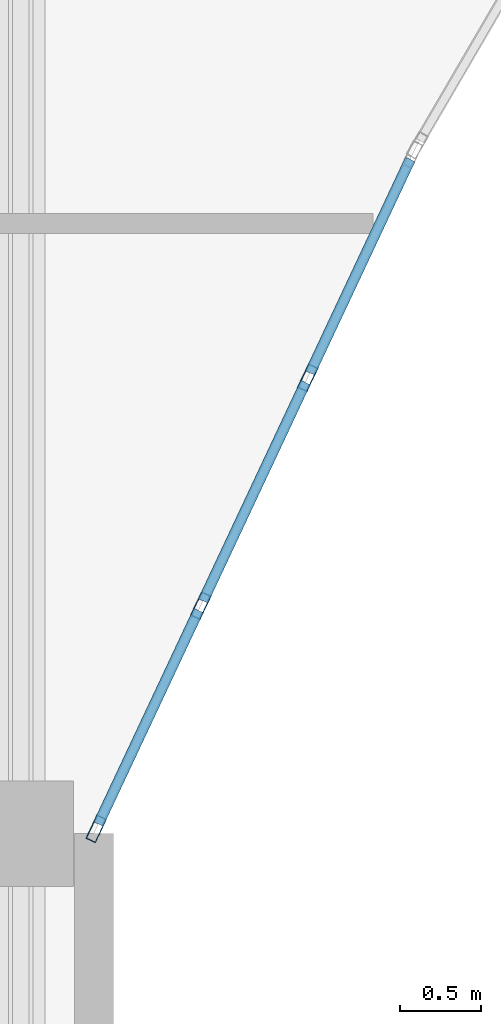
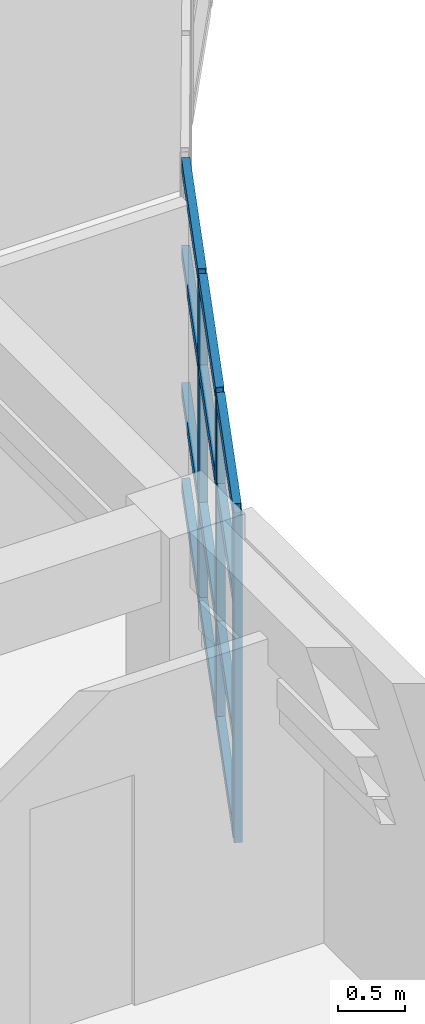
# One storey, part 40 of 128: 15 members, 1 element without a shape of its own.
"""IFC4 building model written with IfcOpenShell, lengths in metres."""

from ifc_helpers import new_model, si_unit, direction, frame, origin, origin_2d, place, context, subcontext, project, spatial, hollow_rectangle, extrude, material, layer, layer_set, material_profile, profile_set, type_object, element, aggregate, save


model = new_model("IFC4")

# Units and contexts
model_context = context("Model", 3, precision=1e-05, world=origin(), true_north=direction((0.0, 1.0)))
body_context = subcontext(model_context, "Body", "Model", "MODEL_VIEW")
ifc_project = project(units=[si_unit("LENGTHUNIT", "METRE"), si_unit("AREAUNIT", "SQUARE_METRE"), si_unit("VOLUMEUNIT", "CUBIC_METRE"), si_unit("PLANEANGLEUNIT", "RADIAN"), si_unit("MASSUNIT", "GRAM", prefix="KILO")], contexts=[model_context])

# Site, building, storey
site_placement = place(None, origin())
site = spatial("IfcSite", under=ifc_project, at=site_placement, CompositionType="ELEMENT")
building_placement = place(site_placement, origin())
building = spatial("IfcBuilding", under=site, at=building_placement, Name="Keldmere Railside Commons", CompositionType="ELEMENT")
storey_placement = place(building_placement, frame((0.0, 0.0, 4.159912109375)))
storey = spatial("IfcBuildingStorey", under=building, at=storey_placement, Name="L01", CompositionType="ELEMENT", Elevation=4.159912109375)

# Curtain wall, members
ifc_material = material(Name="Thermally Broken Aluminium", Category="aluminium")
ifc_layer = layer(ifc_material, 0.159912109375, Name="Court Chord Wintergarden CW 4800x2850")
ifc_layer_set = layer_set([ifc_layer], Name="Thermally Broken Aluminium")
curtain_wall_type = type_object("IfcCurtainWallType", Name="Court Chord Wintergarden CW 4800x2850", PredefinedType="NOTDEFINED", material=ifc_layer_set)
curtain_wall_placement = place(storey_placement, origin())
curtain_wall = element("IfcCurtainWall", 1, at=curtain_wall_placement, inside=storey, type_object=curtain_wall_type, Name="CW-12 CW-L01-004", PredefinedType="NOTDEFINED")
ifc_material_profile_1 = material_profile(ifc_material, hollow_rectangle(XDim=0.06494140625, YDim=0.159912109375, WallThickness=0.00390625, at=origin_2d()), Name="ALU-MULL-65x160")
ifc_profile_set_1 = profile_set([ifc_material_profile_1], Name="Thermally Broken Aluminium")
member_type_1 = type_object("IfcMemberType", Name="Unitised Curtain Wall Mullion 65x160", PredefinedType="MULLION", material=ifc_profile_set_1)
member_1_placement = place(storey_placement, frame((25.314697265625, 90.802001953125, 0.0), z_axis=(0.0, 0.0, 1.0), x_axis=(0.905306255478, -0.424759442264, 0.0)))
member_1 = element("IfcMember", 2, at=member_1_placement, type_object=member_type_1, Name="CW-12 mullion 2", PredefinedType="MULLION", context=body_context, shape_type="SweptSolid", body=[
    extrude(hollow_rectangle(XDim=0.06494140625, YDim=0.159912109375, WallThickness=0.00390625, at=origin_2d()), origin(), (0.0, 0.0, 1.0), 2.97998046875),
])
member_2_placement = place(storey_placement, frame((24.6572265625, 89.40087890625, 0.0), z_axis=(0.0, 0.0, 1.0), x_axis=(0.905306255478, -0.424759442264, 0.0)))
member_2 = element("IfcMember", 3, at=member_2_placement, type_object=member_type_1, Name="CW-12 mullion 3", PredefinedType="MULLION", context=body_context, shape_type="SweptSolid", body=[
    extrude(hollow_rectangle(XDim=0.06494140625, YDim=0.159912109375, WallThickness=0.00390625, at=origin_2d()), origin(), (0.0, 0.0, 1.0), 2.97998046875),
])
member_3_placement = place(storey_placement, frame((24.013916015625, 88.029541015625, 0.0), z_axis=(0.0, 0.0, 1.0), x_axis=(0.905306255478, -0.424759442264, 0.0)))
member_3 = element("IfcMember", 4, at=member_3_placement, type_object=member_type_1, Name="CW-12 mullion 4", PredefinedType="MULLION", context=body_context, shape_type="SweptSolid", body=[
    extrude(hollow_rectangle(XDim=0.06494140625, YDim=0.159912109375, WallThickness=0.00390625, at=origin_2d()), origin(), (0.0, 0.0, 1.0), 2.97998046875),
])
ifc_material_profile_2 = material_profile(ifc_material, hollow_rectangle(XDim=0.06494140625, YDim=0.1201171875, WallThickness=0.00390625, at=origin_2d()), Name="ALU-TRAN-65x120")
ifc_profile_set_2 = profile_set([ifc_material_profile_2], Name="Thermally Broken Aluminium")
member_type_2 = type_object("IfcMemberType", Name="Unitised Curtain Wall Transom 65x120", PredefinedType="USERDEFINED", material=ifc_profile_set_2)
member_4_placement = place(storey_placement, frame((25.9443359375, 92.14404296875, 0.032470703125), z_axis=(-0.424847998455, -0.905264700631, 0.0), x_axis=(0.905264700631, -0.424847998455, 0.0)))
member_4 = element("IfcMember", 5, at=member_4_placement, type_object=member_type_2, Name="CW-12 transom 1.1", ObjectType="TRANSOM", PredefinedType="USERDEFINED", context=body_context, shape_type="SweptSolid", body=[
    extrude(hollow_rectangle(XDim=0.06494140625, YDim=0.1201171875, WallThickness=0.00390625, at=origin_2d()), origin(), (0.0, 0.0, 1.0), 1.449951171875),
])
member_5_placement = place(storey_placement, frame((25.9443359375, 92.14404296875, 0.900146484375), z_axis=(-0.424847998455, -0.905264700631, 0.0), x_axis=(0.905264700631, -0.424847998455, 0.0)))
member_5 = element("IfcMember", 6, at=member_5_placement, type_object=member_type_2, Name="CW-12 transom 1.2", ObjectType="TRANSOM", PredefinedType="USERDEFINED", context=body_context, shape_type="SweptSolid", body=[
    extrude(hollow_rectangle(XDim=0.06494140625, YDim=0.1201171875, WallThickness=0.00390625, at=origin_2d()), origin(), (0.0, 0.0, 1.0), 1.449951171875),
])
member_6_placement = place(storey_placement, frame((25.9443359375, 92.14404296875, 2.150146484375), z_axis=(-0.424847998455, -0.905264700631, 0.0), x_axis=(0.905264700631, -0.424847998455, 0.0)))
member_6 = element("IfcMember", 7, at=member_6_placement, type_object=member_type_2, Name="CW-12 transom 1.3", ObjectType="TRANSOM", PredefinedType="USERDEFINED", context=body_context, shape_type="SweptSolid", body=[
    extrude(hollow_rectangle(XDim=0.06494140625, YDim=0.1201171875, WallThickness=0.00390625, at=origin_2d()), origin(), (0.0, 0.0, 1.0), 1.449951171875),
])
member_7_placement = place(storey_placement, frame((25.9443359375, 92.14404296875, 2.947509765625), z_axis=(-0.424847998455, -0.905264700631, 0.0), x_axis=(0.905264700631, -0.424847998455, 0.0)))
member_7 = element("IfcMember", 8, at=member_7_placement, type_object=member_type_2, Name="CW-12 transom 1.4", ObjectType="TRANSOM", PredefinedType="USERDEFINED", context=body_context, shape_type="SweptSolid", body=[
    extrude(hollow_rectangle(XDim=0.06494140625, YDim=0.1201171875, WallThickness=0.00390625, at=origin_2d()), origin(), (0.0, 0.0, 1.0), 1.449951171875),
])
member_8_placement = place(storey_placement, frame((25.30078125, 90.7724609375, 0.032470703125), z_axis=(-0.424741875375, -0.905314497455, 0.0), x_axis=(0.905314497455, -0.424741875375, 0.0)))
member_8 = element("IfcMember", 9, at=member_8_placement, type_object=member_type_2, Name="CW-12 transom 2.1", ObjectType="TRANSOM", PredefinedType="USERDEFINED", context=body_context, shape_type="SweptSolid", body=[
    extrude(hollow_rectangle(XDim=0.06494140625, YDim=0.1201171875, WallThickness=0.00390625, at=origin_2d()), origin(), (0.0, 0.0, 1.0), 1.482421875),
])
member_9_placement = place(storey_placement, frame((25.30078125, 90.7724609375, 0.900146484375), z_axis=(-0.424741875375, -0.905314497455, 0.0), x_axis=(0.905314497455, -0.424741875375, 0.0)))
member_9 = element("IfcMember", 10, at=member_9_placement, type_object=member_type_2, Name="CW-12 transom 2.2", ObjectType="TRANSOM", PredefinedType="USERDEFINED", context=body_context, shape_type="SweptSolid", body=[
    extrude(hollow_rectangle(XDim=0.06494140625, YDim=0.1201171875, WallThickness=0.00390625, at=origin_2d()), origin(), (0.0, 0.0, 1.0), 1.482421875),
])
member_10_placement = place(storey_placement, frame((25.30078125, 90.7724609375, 2.150146484375), z_axis=(-0.424741875375, -0.905314497455, 0.0), x_axis=(0.905314497455, -0.424741875375, 0.0)))
member_10 = element("IfcMember", 11, at=member_10_placement, type_object=member_type_2, Name="CW-12 transom 2.3", ObjectType="TRANSOM", PredefinedType="USERDEFINED", context=body_context, shape_type="SweptSolid", body=[
    extrude(hollow_rectangle(XDim=0.06494140625, YDim=0.1201171875, WallThickness=0.00390625, at=origin_2d()), origin(), (0.0, 0.0, 1.0), 1.482421875),
])
member_11_placement = place(storey_placement, frame((25.30078125, 90.7724609375, 2.947509765625), z_axis=(-0.424741875375, -0.905314497455, 0.0), x_axis=(0.905314497455, -0.424741875375, 0.0)))
member_11 = element("IfcMember", 12, at=member_11_placement, type_object=member_type_2, Name="CW-12 transom 2.4", ObjectType="TRANSOM", PredefinedType="USERDEFINED", context=body_context, shape_type="SweptSolid", body=[
    extrude(hollow_rectangle(XDim=0.06494140625, YDim=0.1201171875, WallThickness=0.00390625, at=origin_2d()), origin(), (0.0, 0.0, 1.0), 1.482421875),
])
member_12_placement = place(storey_placement, frame((24.6435546875, 89.37158203125, 0.032470703125), z_axis=(-0.424783244458, -0.905295087376, 0.0), x_axis=(0.905295087376, -0.424783244458, 0.0)))
member_12 = element("IfcMember", 13, at=member_12_placement, type_object=member_type_2, Name="CW-12 transom 3.1", ObjectType="TRANSOM", PredefinedType="USERDEFINED", context=body_context, shape_type="SweptSolid", body=[
    extrude(hollow_rectangle(XDim=0.06494140625, YDim=0.1201171875, WallThickness=0.00390625, at=origin_2d()), origin(), (0.0, 0.0, 1.0), 1.449951171875),
])
member_13_placement = place(storey_placement, frame((24.6435546875, 89.37158203125, 0.900146484375), z_axis=(-0.424783244458, -0.905295087376, 0.0), x_axis=(0.905295087376, -0.424783244458, 0.0)))
member_13 = element("IfcMember", 14, at=member_13_placement, type_object=member_type_2, Name="CW-12 transom 3.2", ObjectType="TRANSOM", PredefinedType="USERDEFINED", context=body_context, shape_type="SweptSolid", body=[
    extrude(hollow_rectangle(XDim=0.06494140625, YDim=0.1201171875, WallThickness=0.00390625, at=origin_2d()), origin(), (0.0, 0.0, 1.0), 1.449951171875),
])
member_14_placement = place(storey_placement, frame((24.6435546875, 89.37158203125, 2.150146484375), z_axis=(-0.424783244458, -0.905295087376, 0.0), x_axis=(0.905295087376, -0.424783244458, 0.0)))
member_14 = element("IfcMember", 15, at=member_14_placement, type_object=member_type_2, Name="CW-12 transom 3.3", ObjectType="TRANSOM", PredefinedType="USERDEFINED", context=body_context, shape_type="SweptSolid", body=[
    extrude(hollow_rectangle(XDim=0.06494140625, YDim=0.1201171875, WallThickness=0.00390625, at=origin_2d()), origin(), (0.0, 0.0, 1.0), 1.449951171875),
])
member_15_placement = place(storey_placement, frame((24.6435546875, 89.37158203125, 2.947509765625), z_axis=(-0.424783244458, -0.905295087376, 0.0), x_axis=(0.905295087376, -0.424783244458, 0.0)))
member_15 = element("IfcMember", 16, at=member_15_placement, type_object=member_type_2, Name="CW-12 transom 3.4", ObjectType="TRANSOM", PredefinedType="USERDEFINED", context=body_context, shape_type="SweptSolid", body=[
    extrude(hollow_rectangle(XDim=0.06494140625, YDim=0.1201171875, WallThickness=0.00390625, at=origin_2d()), origin(), (0.0, 0.0, 1.0), 1.449951171875),
])
aggregate(curtain_wall, [member_1, member_2, member_3, member_4, member_5, member_6, member_7, member_8, member_9, member_10, member_11, member_12, member_13, member_14, member_15])

save(model, "model.ifc")
